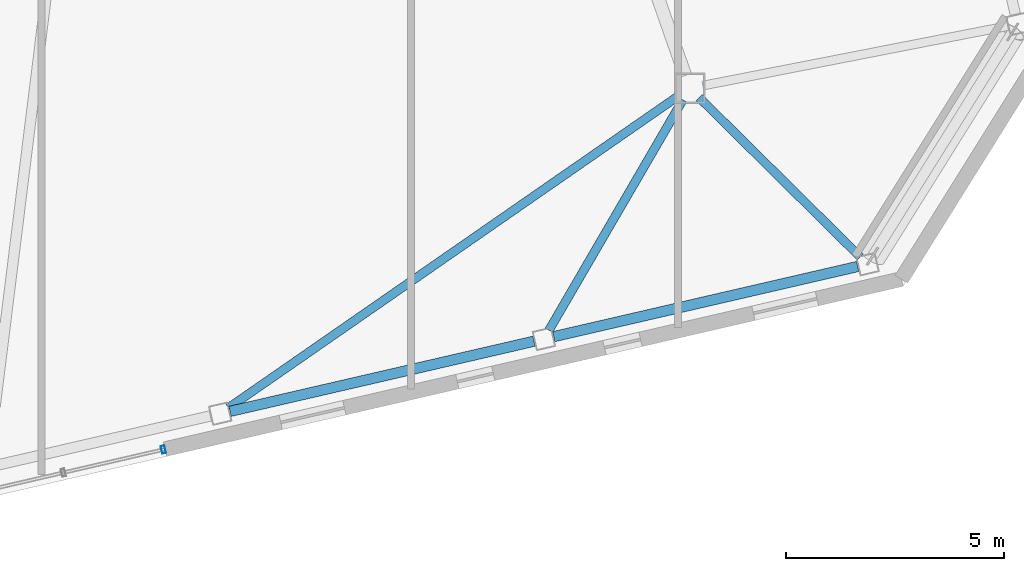
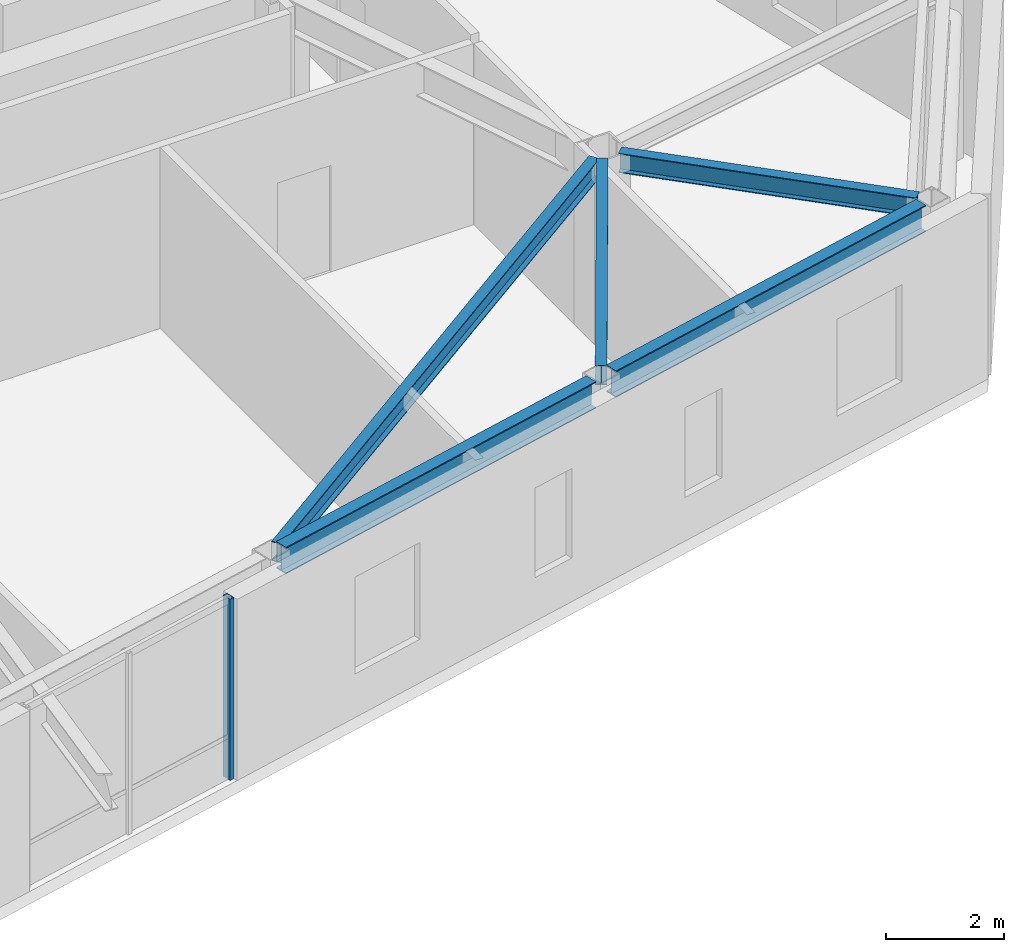
# One storey, part 8 of 21: 5 beams, 1 member, 1 element without a shape of its own.
"""IFC4 building model written with IfcOpenShell, lengths in metres."""

import ifcopenshell
import ifcopenshell.guid

model = None  # the IFC model being written
_history = None  # IfcOwnerHistory: only IFC2X3 demands one
_inside = {}  # id of a spatial element -> (the spatial element, [elements in it])
_under = {}  # id of a project, library or spatial element -> (it, [spatial elements below it])
_declared = {}  # id of a project -> (the project, [libraries it declares])
_typed = {}  # id of a type object -> (the type object, [elements of that type])
_made_of = {}  # id of a material, layer set ... -> (it, [elements and type objects made of it])


def new_model(schema):
    """Start an empty IFC model of exactly this schema.

    Asked for "IFC4X3", IfcOpenShell would pick the latest addendum, in which some entities
    have other attributes; the version numbers below select the first issue.
    IFC2X3 requires an IfcOwnerHistory on every rooted entity: one is made here for all.
    """
    global model, _history
    if schema == "IFC4X3":
        model = ifcopenshell.file(schema_version=(4, 3, 0, 0))
    else:
        model = ifcopenshell.file(schema=schema)
    _inside.clear()
    _under.clear()
    _declared.clear()
    _typed.clear()
    _made_of.clear()
    _history = None
    if model.schema == "IFC2X3":
        org = make("IfcOrganization", Name="unknown")
        user = make(
            "IfcPersonAndOrganization",
            ThePerson=make("IfcPerson", FamilyName="unknown"),
            TheOrganization=org,
        )
        app = make(
            "IfcApplication",
            ApplicationDeveloper=org,
            Version="unknown",
            ApplicationFullName="unknown",
            ApplicationIdentifier="unknown",
        )
        _history = make(
            "IfcOwnerHistory",
            OwningUser=user,
            OwningApplication=app,
            ChangeAction="ADDED",
            CreationDate=0,
        )
    return model


def make(cls, **values):
    """One entity of the class cls with the attributes given. An attribute that is None is left unset."""
    return model.create_entity(
        cls, **{name: value for name, value in values.items() if value is not None}
    )


def rooted(cls, **values):
    """An entity with a GlobalId (a new one), such as an element, a storey or a relation."""
    return make(cls, GlobalId=ifcopenshell.guid.new(), OwnerHistory=_history, **values)


def si_unit(unit_type, name, prefix=None):
    """IfcSIUnit, for example si_unit("LENGTHUNIT", "METRE", prefix="MILLI")."""
    return make("IfcSIUnit", UnitType=unit_type, Prefix=prefix, Name=name)


def assignment(units):
    """IfcUnitAssignment: the units of a project."""
    return None if units is None else make("IfcUnitAssignment", Units=units)


def point(xyz):
    """IfcCartesianPoint."""
    return None if xyz is None else make("IfcCartesianPoint", Coordinates=xyz)


def direction(xyz):
    """IfcDirection."""
    return None if xyz is None else make("IfcDirection", DirectionRatios=xyz)


def frame(location, z_axis=None, x_axis=None):
    """IfcAxis2Placement3D, a coordinate frame: its origin and axes. An axis left out is left unset."""
    return make(
        "IfcAxis2Placement3D",
        Location=point(location),
        Axis=direction(z_axis),
        RefDirection=direction(x_axis),
    )


def frame_2d(location, x_axis=None):
    """IfcAxis2Placement2D, a coordinate frame in the plane: its origin and x axis."""
    return make(
        "IfcAxis2Placement2D", Location=point(location), RefDirection=direction(x_axis)
    )


def origin():
    """The frame at (0, 0, 0) with its axes left unset."""
    return frame((0.0, 0.0, 0.0))


def origin_2d():
    """The frame at (0, 0) in the plane with its x axis left unset."""
    return frame_2d((0.0, 0.0))


def place(relative_to, where):
    """IfcLocalPlacement: puts the frame where relative to a parent placement (None: the world)."""
    return make(
        "IfcLocalPlacement", PlacementRelTo=relative_to, RelativePlacement=where
    )


def context(
    kind, dimensions, precision=None, world=None, true_north=None, identifier=None
):
    """IfcGeometricRepresentationContext, for example the 3D "Model" context."""
    return make(
        "IfcGeometricRepresentationContext",
        ContextIdentifier=identifier,
        ContextType=kind,
        CoordinateSpaceDimension=dimensions,
        Precision=precision,
        WorldCoordinateSystem=world,
        TrueNorth=true_north,
    )


def subcontext(parent, identifier, kind, view, scale=None):
    """IfcGeometricRepresentationSubContext, for example "Body" below "Model"."""
    return make(
        "IfcGeometricRepresentationSubContext",
        ContextIdentifier=identifier,
        ContextType=kind,
        ParentContext=parent,
        TargetScale=scale,
        TargetView=view,
    )


def project(units=None, contexts=None):
    """IfcProject with its units and contexts."""
    return rooted(
        "IfcProject",
        Name="project",
        RepresentationContexts=contexts,
        UnitsInContext=assignment(units),
    )


def spatial(cls, under=None, at=None, **own):
    """A site, building, storey or space (cls), placed at a placement, below another one or the project."""
    s = rooted(cls, ObjectPlacement=at, **own)
    if under is not None:
        _under.setdefault(under.id(), (under, []))[1].append(s)
    return s


def profile(cls, at=None, kind="AREA", **sizes):
    """A parametric profile (cls). Its sizes go by their IFC names, for example OverallWidth=200.0."""
    return make(cls, ProfileType=kind, Position=at, **sizes)


def hollow_rectangle(**sizes):
    """IfcRectangleHollowProfileDef."""
    return profile("IfcRectangleHollowProfileDef", **sizes)


def i_section(**sizes):
    """IfcIShapeProfileDef."""
    return profile("IfcIShapeProfileDef", **sizes)


def extrude(swept, where, along, depth):
    """IfcExtrudedAreaSolid: the profile swept, set in the frame where, extruded along a direction by depth."""
    return make(
        "IfcExtrudedAreaSolid",
        SweptArea=swept,
        Position=where,
        ExtrudedDirection=direction(along),
        Depth=depth,
    )


def shape(context_of_items, identifier, shape_type, items):
    """IfcShapeRepresentation: the items that make up one representation, for example the "Body"."""
    return make(
        "IfcShapeRepresentation",
        ContextOfItems=context_of_items,
        RepresentationIdentifier=identifier,
        RepresentationType=shape_type,
        Items=items,
    )


def material(Name=None, Category=None):
    """IfcMaterial."""
    return make("IfcMaterial", Name=Name, Category=Category)


def layer(
    of_material, thickness, ventilated=None, Name=None, Category=None, Priority=None
):
    """IfcMaterialLayer: one layer of a wall or slab, of a material (None: an air gap)."""
    return make(
        "IfcMaterialLayer",
        Material=of_material,
        LayerThickness=thickness,
        IsVentilated=ventilated,
        Name=Name,
        Category=Category,
        Priority=Priority,
    )


def layer_set(layers, Name=None):
    """IfcMaterialLayerSet."""
    return make("IfcMaterialLayerSet", MaterialLayers=layers, LayerSetName=Name)


def material_profile(
    of_material, cross_section, Name=None, Category=None, Priority=None
):
    """IfcMaterialProfile: a cross section and its material."""
    return make(
        "IfcMaterialProfile",
        Name=Name,
        Material=of_material,
        Profile=cross_section,
        Priority=Priority,
        Category=Category,
    )


def profile_set(profiles, Name=None, composite=None):
    """IfcMaterialProfileSet."""
    return make(
        "IfcMaterialProfileSet",
        Name=Name,
        MaterialProfiles=profiles,
        CompositeProfile=composite,
    )


def made_of(thing, what):
    """Note that an element or type object is made of a material, layer set ...; save() writes the relation."""
    if what is not None:
        _made_of.setdefault(what.id(), (what, []))[1].append(thing)
    return thing


def type_object(cls, material=None, **own):
    """A type object (cls), such as IfcWallType, which elements share."""
    return made_of(rooted(cls, **own), material)


def element(
    cls,
    number,
    at=None,
    inside=None,
    cuts=None,
    type_object=None,
    material=None,
    context=None,
    identifier="Body",
    shape_type=None,
    held_by="IfcProductDefinitionShape",
    body=None,
    shapes=None,
    **own,
):
    """One element of the class cls, such as IfcWall. Its Tag is "e" and its number.

    at: its placement. inside: the storey or other place that contains it. cuts: it is an
    opening in that element (IfcRelVoidsElement). A single representation is given by context,
    identifier, shape_type and body (its items); several are given by shapes. held_by: the class
    of the entity that holds the representations. save() writes the other relations.
    """
    e = rooted(cls, Tag="e%d" % number, ObjectPlacement=at, **own)
    if body is not None:
        shapes = [shape(context, identifier, shape_type, body)]
    if shapes is not None:
        e.Representation = make(held_by, Representations=shapes)
    if inside is not None:
        _inside.setdefault(inside.id(), (inside, []))[1].append(e)
    if cuts is not None:
        rooted(
            "IfcRelVoidsElement", RelatingBuildingElement=cuts, RelatedOpeningElement=e
        )
    if type_object is not None:
        _typed.setdefault(type_object.id(), (type_object, []))[1].append(e)
    return made_of(e, material)


def aggregate(whole, parts):
    """IfcRelAggregates: a whole, such as a stair, and the parts it consists of."""
    return rooted("IfcRelAggregates", RelatingObject=whole, RelatedObjects=parts)


def save(model, path):
    """Write the relations noted so far, then the file.

    IfcRelAggregates (storeys below a building ...), IfcRelContainedInSpatialStructure (elements
    in a storey), IfcRelDefinesByType, IfcRelAssociatesMaterial and IfcRelDeclares: one each for
    every whole, place, type object, material and project.
    """
    for whole, parts in _under.values():
        aggregate(whole, parts)
    for where, things in _inside.values():
        rooted(
            "IfcRelContainedInSpatialStructure",
            RelatedElements=things,
            RelatingStructure=where,
        )
    for kind, things in _typed.values():
        rooted("IfcRelDefinesByType", RelatedObjects=things, RelatingType=kind)
    for what, things in _made_of.values():
        rooted("IfcRelAssociatesMaterial", RelatedObjects=things, RelatingMaterial=what)
    for by, libraries in _declared.values():
        rooted("IfcRelDeclares", RelatingContext=by, RelatedDefinitions=libraries)
    model.write(path)


model = new_model("IFC4")

# Units and contexts
model_context = context("Model", 3, precision=1e-05, world=origin(), true_north=direction((0.0, 1.0)))
body_context = subcontext(model_context, "Body", "Model", "MODEL_VIEW")
ifc_project = project(units=[si_unit("LENGTHUNIT", "METRE"), si_unit("AREAUNIT", "SQUARE_METRE"), si_unit("VOLUMEUNIT", "CUBIC_METRE"), si_unit("PLANEANGLEUNIT", "RADIAN"), si_unit("MASSUNIT", "GRAM", prefix="KILO")], contexts=[model_context])

# Site, building, storey
site_placement = place(None, origin())
site = spatial("IfcSite", under=ifc_project, at=site_placement, CompositionType="ELEMENT")
building_placement = place(site_placement, origin())
building = spatial("IfcBuilding", under=site, at=building_placement, Name="Tavrogorsk Clinical Tower", CompositionType="ELEMENT")
storey_placement = place(building_placement, frame((0.0, 0.0, 285.0)))
storey = spatial("IfcBuildingStorey", under=building, at=storey_placement, Name="L66", CompositionType="ELEMENT", Elevation=285.0)

# Curtain wall, member
ifc_material_1 = material(Name="Anodised aluminium and triple IGU glazing", Category="aluminium")
ifc_layer = layer(ifc_material_1, 0.179931640625)
ifc_layer_set = layer_set([ifc_layer], Name="Anodised aluminium and triple IGU glazing")
curtain_wall_type = type_object("IfcCurtainWallType", Name="CW3_SouthSlot", PredefinedType="NOTDEFINED", material=ifc_layer_set)
curtain_wall_placement = place(storey_placement, origin())
curtain_wall = element("IfcCurtainWall", 1, at=curtain_wall_placement, inside=storey, type_object=curtain_wall_type, Name="L66 Curtain Wall CW-L66-S-SLOT-2", PredefinedType="NOTDEFINED")
ifc_material_2 = material(Name="Anodised aluminium alloy AW-6060", Category="aluminium")
ifc_material_profile_1 = material_profile(ifc_material_2, hollow_rectangle(XDim=0.090087890625, YDim=0.179931640625, WallThickness=0.00634765625, at=origin_2d()), Name="RHS-180x90x6.3")
ifc_profile_set_1 = profile_set([ifc_material_profile_1], Name="Anodised aluminium alloy AW-6060")
member_type = type_object("IfcMemberType", Name="CwMullion_180x90", PredefinedType="MULLION", material=ifc_profile_set_1)
member_placement = place(storey_placement, frame((12.4052734375, -21.504638671875, 0.0), z_axis=(0.0, 0.0, 1.0), x_axis=(0.974370057377, 0.224951086434, 0.0)))
member = element("IfcMember", 2, at=member_placement, type_object=member_type, Name="CW-L66-S-SLOT-2 Mullion 3", PredefinedType="MULLION", context=body_context, shape_type="SweptSolid", body=[
    extrude(hollow_rectangle(XDim=0.090087890625, YDim=0.179931640625, WallThickness=0.00634765625, at=origin_2d()), origin(), (0.0, 0.0, 1.0), 3.739990234375),
])
aggregate(curtain_wall, [member])

# Beams
ifc_material_3 = material(Name="Structural steel S355", Category="steel")
ifc_material_profile_2 = material_profile(ifc_material_3, i_section(OverallWidth=0.199951171875, OverallDepth=0.39990234375, WebThickness=0.010498046875, FlangeThickness=0.01611328125, at=origin_2d()), Name="B-400x200x10.5x16")
ifc_profile_set_2 = profile_set([ifc_material_profile_2], Name="Structural steel S355")
beam_type_1 = type_object("IfcBeamType", Name="FloorBeam_B400", PredefinedType="BEAM", material=ifc_profile_set_2)
beam_1_placement = place(storey_placement, frame((24.245361328125, -13.376708984375, 3.5400390625), z_axis=(-0.821821874963, -0.56974450926, 0.0), x_axis=(0.56974450926, -0.821821874963, 0.0)))
element("IfcBeam", 3, at=beam_1_placement, inside=storey, type_object=beam_type_1, Name="L66 Radial Floor Beam S6", PredefinedType="BEAM", context=body_context, shape_type="SweptSolid", body=[
    extrude(i_section(OverallWidth=0.199951171875, OverallDepth=0.39990234375, WebThickness=0.010498046875, FlangeThickness=0.01611328125, at=origin_2d()), origin(), (0.0, 0.0, 1.0), 12.5849609375),
])
beam_2_placement = place(storey_placement, frame((24.34423828125, -13.468017578125, 3.5400390625), z_axis=(-0.50260105099, -0.864518469174, 0.0), x_axis=(0.864518469174, -0.50260105099, 0.0)))
element("IfcBeam", 4, at=beam_2_placement, inside=storey, type_object=beam_type_1, Name="L66 Radial Floor Beam S7", PredefinedType="BEAM", context=body_context, shape_type="SweptSolid", body=[
    extrude(i_section(OverallWidth=0.199951171875, OverallDepth=0.39990234375, WebThickness=0.010498046875, FlangeThickness=0.01611328125, at=origin_2d()), origin(), (0.0, 0.0, 1.0), 6.12255859375),
])
beam_3_placement = place(storey_placement, frame((24.720458984375, -13.41796875, 3.5400390625), z_axis=(0.710870207436, -0.703323217433, 0.0), x_axis=(0.703323217433, 0.710870207436, 0.0)))
element("IfcBeam", 5, at=beam_3_placement, inside=storey, type_object=beam_type_1, Name="L66 Radial Floor Beam S8", PredefinedType="BEAM", context=body_context, shape_type="SweptSolid", body=[
    extrude(i_section(OverallWidth=0.199951171875, OverallDepth=0.39990234375, WebThickness=0.010498046875, FlangeThickness=0.01611328125, at=origin_2d()), origin(), (0.0, 0.0, 1.0), 5.208251953125),
])
ifc_material_4 = material(Name="Structural steel S390", Category="steel")
ifc_material_profile_3 = material_profile(ifc_material_4, i_section(OverallWidth=0.239990234375, OverallDepth=0.550048828125, WebThickness=0.013916015625, FlangeThickness=0.02197265625, at=origin_2d()), Name="B-550x240x14x22")
ifc_profile_set_3 = profile_set([ifc_material_profile_3], Name="Structural steel S390")
beam_type_2 = type_object("IfcBeamType", Name="SpandrelBeam_B550", PredefinedType="SPANDREL", material=ifc_profile_set_3)
for number, where, z_axis, x_axis, name in (
    (6, (13.938232421875, -20.627197265625, 3.465087890625), (0.974369378592, 0.224954026551, 0.0), (-0.224954026551, 0.974369378592, 0.0), "L66 Perimeter Spandrel S6-S7"),
    (7, (21.376953125, -18.909912109375, 3.465087890625), (0.974369378592, 0.224954026551, 0.0), (-0.224954026551, 0.974369378592, 0.0), "L66 Perimeter Spandrel S7-S8"),
):
    element("IfcBeam", number, at=place(storey_placement, frame(where, z_axis=z_axis, x_axis=x_axis)), inside=storey, type_object=beam_type_2, Name=name, PredefinedType="SPANDREL", context=body_context, shape_type="SweptSolid", body=[
        extrude(i_section(OverallWidth=0.239990234375, OverallDepth=0.550048828125, WebThickness=0.013916015625, FlangeThickness=0.02197265625, at=origin_2d()), origin(), (0.0, 0.0, 1.0), 7.16845703125),
    ])

save(model, "model.ifc")
